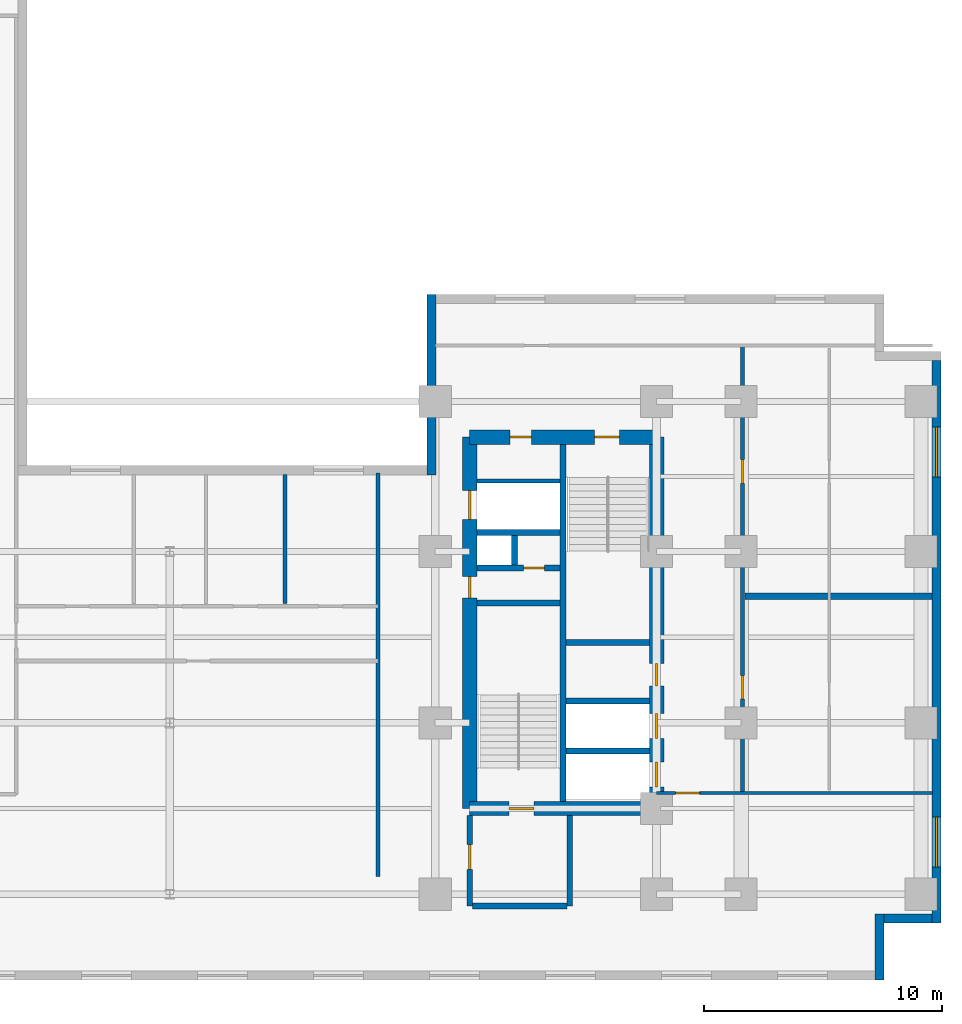
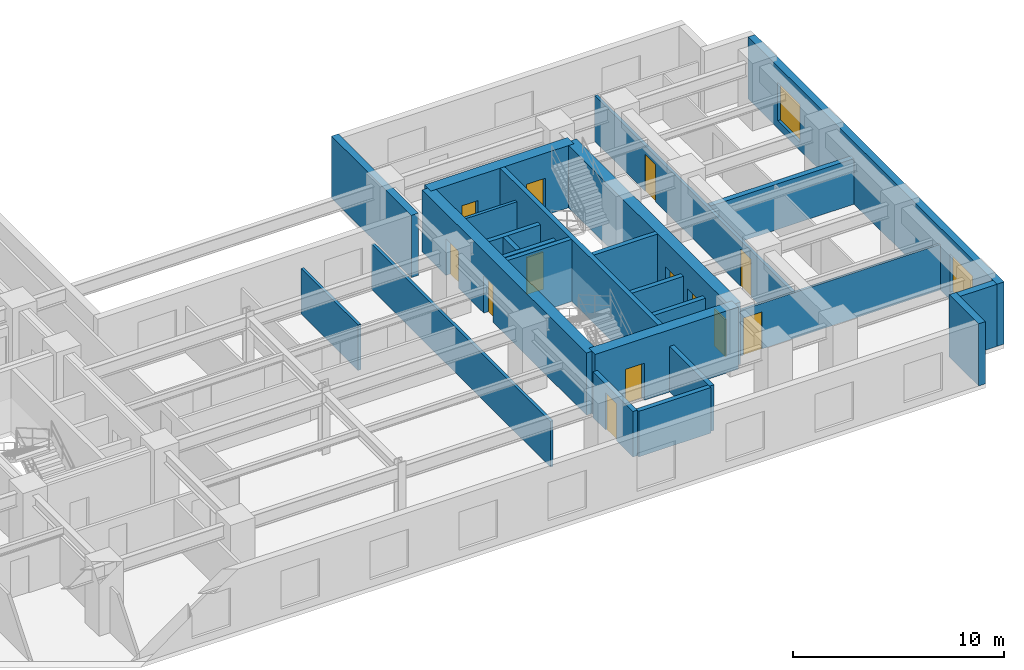
# One storey, part 5 of 10: 25 walls, 13 doors, 2 windows, 15 openings.
"""IFC4 building model written with IfcOpenShell, lengths in metres."""

import ifcopenshell
import ifcopenshell.guid

model = None  # the IFC model being written
_history = None  # IfcOwnerHistory: only IFC2X3 demands one
_inside = {}  # id of a spatial element -> (the spatial element, [elements in it])
_under = {}  # id of a project, library or spatial element -> (it, [spatial elements below it])
_declared = {}  # id of a project -> (the project, [libraries it declares])
_typed = {}  # id of a type object -> (the type object, [elements of that type])
_made_of = {}  # id of a material, layer set ... -> (it, [elements and type objects made of it])


def new_model(schema):
    """Start an empty IFC model of exactly this schema.

    Asked for "IFC4X3", IfcOpenShell would pick the latest addendum, in which some entities
    have other attributes; the version numbers below select the first issue.
    IFC2X3 requires an IfcOwnerHistory on every rooted entity: one is made here for all.
    """
    global model, _history
    if schema == "IFC4X3":
        model = ifcopenshell.file(schema_version=(4, 3, 0, 0))
    else:
        model = ifcopenshell.file(schema=schema)
    _inside.clear()
    _under.clear()
    _declared.clear()
    _typed.clear()
    _made_of.clear()
    _history = None
    if model.schema == "IFC2X3":
        org = make("IfcOrganization", Name="unknown")
        user = make(
            "IfcPersonAndOrganization",
            ThePerson=make("IfcPerson", FamilyName="unknown"),
            TheOrganization=org,
        )
        app = make(
            "IfcApplication",
            ApplicationDeveloper=org,
            Version="unknown",
            ApplicationFullName="unknown",
            ApplicationIdentifier="unknown",
        )
        _history = make(
            "IfcOwnerHistory",
            OwningUser=user,
            OwningApplication=app,
            ChangeAction="ADDED",
            CreationDate=0,
        )
    return model


def make(cls, **values):
    """One entity of the class cls with the attributes given. An attribute that is None is left unset."""
    return model.create_entity(
        cls, **{name: value for name, value in values.items() if value is not None}
    )


def entity(cls, *values):
    """Any entity or typed value of the class cls, its attributes in the order of the schema. None: left unset."""
    e = model.create_entity(cls)
    for i, value in enumerate(values):
        if value is not None:
            e[i] = value
    return e


def rooted(cls, **values):
    """An entity with a GlobalId (a new one), such as an element, a storey or a relation."""
    return make(cls, GlobalId=ifcopenshell.guid.new(), OwnerHistory=_history, **values)


def si_unit(unit_type, name, prefix=None):
    """IfcSIUnit, for example si_unit("LENGTHUNIT", "METRE", prefix="MILLI")."""
    return make("IfcSIUnit", UnitType=unit_type, Prefix=prefix, Name=name)


def converted_unit(unit_type, name, factor, base, dimensions=None, offset=None):
    """IfcConversionBasedUnit, such as the inch: factor (a typed value) times the base unit."""
    return make(
        "IfcConversionBasedUnit"
        if offset is None
        else "IfcConversionBasedUnitWithOffset",
        ConversionOffset=offset,
        Dimensions=None
        if dimensions is None
        else entity("IfcDimensionalExponents", *dimensions),
        UnitType=unit_type,
        Name=name,
        ConversionFactor=make(
            "IfcMeasureWithUnit", ValueComponent=factor, UnitComponent=base
        ),
    )


def assignment(units):
    """IfcUnitAssignment: the units of a project."""
    return None if units is None else make("IfcUnitAssignment", Units=units)


def point(xyz):
    """IfcCartesianPoint."""
    return None if xyz is None else make("IfcCartesianPoint", Coordinates=xyz)


def direction(xyz):
    """IfcDirection."""
    return None if xyz is None else make("IfcDirection", DirectionRatios=xyz)


def frame(location, z_axis=None, x_axis=None):
    """IfcAxis2Placement3D, a coordinate frame: its origin and axes. An axis left out is left unset."""
    return make(
        "IfcAxis2Placement3D",
        Location=point(location),
        Axis=direction(z_axis),
        RefDirection=direction(x_axis),
    )


def frame_2d(location, x_axis=None):
    """IfcAxis2Placement2D, a coordinate frame in the plane: its origin and x axis."""
    return make(
        "IfcAxis2Placement2D", Location=point(location), RefDirection=direction(x_axis)
    )


def origin_with_axes():
    """The frame at (0, 0, 0) with the z axis (0, 0, 1) and the x axis (1, 0, 0) written out."""
    return frame((0.0, 0.0, 0.0), z_axis=(0.0, 0.0, 1.0), x_axis=(1.0, 0.0, 0.0))


def origin_2d_with_axis():
    """The frame at (0, 0) in the plane with the x axis (1, 0) written out."""
    return frame_2d((0.0, 0.0), x_axis=(1.0, 0.0))


def place(relative_to, where):
    """IfcLocalPlacement: puts the frame where relative to a parent placement (None: the world)."""
    return make(
        "IfcLocalPlacement", PlacementRelTo=relative_to, RelativePlacement=where
    )


def context(
    kind, dimensions, precision=None, world=None, true_north=None, identifier=None
):
    """IfcGeometricRepresentationContext, for example the 3D "Model" context."""
    return make(
        "IfcGeometricRepresentationContext",
        ContextIdentifier=identifier,
        ContextType=kind,
        CoordinateSpaceDimension=dimensions,
        Precision=precision,
        WorldCoordinateSystem=world,
        TrueNorth=true_north,
    )


def subcontext(parent, identifier, kind, view, scale=None):
    """IfcGeometricRepresentationSubContext, for example "Body" below "Model"."""
    return make(
        "IfcGeometricRepresentationSubContext",
        ContextIdentifier=identifier,
        ContextType=kind,
        ParentContext=parent,
        TargetScale=scale,
        TargetView=view,
    )


def project(units=None, contexts=None):
    """IfcProject with its units and contexts."""
    return rooted(
        "IfcProject",
        Name="project",
        RepresentationContexts=contexts,
        UnitsInContext=assignment(units),
    )


def spatial(cls, under=None, at=None, **own):
    """A site, building, storey or space (cls), placed at a placement, below another one or the project."""
    s = rooted(cls, ObjectPlacement=at, **own)
    if under is not None:
        _under.setdefault(under.id(), (under, []))[1].append(s)
    return s


def polyline(points):
    """IfcPolyline through the points."""
    return make("IfcPolyline", Points=[point(p) for p in points])


def profile(cls, at=None, kind="AREA", **sizes):
    """A parametric profile (cls). Its sizes go by their IFC names, for example OverallWidth=200.0."""
    return make(cls, ProfileType=kind, Position=at, **sizes)


def rectangle(**sizes):
    """IfcRectangleProfileDef."""
    return profile("IfcRectangleProfileDef", **sizes)


def outline(outer, holes=None, kind="AREA"):
    """IfcArbitraryClosedProfileDef: a profile drawn as a closed curve; with holes, ...WithVoids."""
    if holes is None:
        return make("IfcArbitraryClosedProfileDef", ProfileType=kind, OuterCurve=outer)
    return make(
        "IfcArbitraryProfileDefWithVoids",
        ProfileType=kind,
        OuterCurve=outer,
        InnerCurves=holes,
    )


def extrude(swept, where, along, depth):
    """IfcExtrudedAreaSolid: the profile swept, set in the frame where, extruded along a direction by depth."""
    return make(
        "IfcExtrudedAreaSolid",
        SweptArea=swept,
        Position=where,
        ExtrudedDirection=direction(along),
        Depth=depth,
    )


def shape(context_of_items, identifier, shape_type, items):
    """IfcShapeRepresentation: the items that make up one representation, for example the "Body"."""
    return make(
        "IfcShapeRepresentation",
        ContextOfItems=context_of_items,
        RepresentationIdentifier=identifier,
        RepresentationType=shape_type,
        Items=items,
    )


def material(Name=None, Category=None):
    """IfcMaterial."""
    return make("IfcMaterial", Name=Name, Category=Category)


def layer(
    of_material, thickness, ventilated=None, Name=None, Category=None, Priority=None
):
    """IfcMaterialLayer: one layer of a wall or slab, of a material (None: an air gap)."""
    return make(
        "IfcMaterialLayer",
        Material=of_material,
        LayerThickness=thickness,
        IsVentilated=ventilated,
        Name=Name,
        Category=Category,
        Priority=Priority,
    )


def layer_set(layers, Name=None):
    """IfcMaterialLayerSet."""
    return make("IfcMaterialLayerSet", MaterialLayers=layers, LayerSetName=Name)


def made_of(thing, what):
    """Note that an element or type object is made of a material, layer set ...; save() writes the relation."""
    if what is not None:
        _made_of.setdefault(what.id(), (what, []))[1].append(thing)
    return thing


def type_object(cls, material=None, **own):
    """A type object (cls), such as IfcWallType, which elements share."""
    return made_of(rooted(cls, **own), material)


def element(
    cls,
    number,
    at=None,
    inside=None,
    cuts=None,
    type_object=None,
    material=None,
    context=None,
    identifier="Body",
    shape_type=None,
    held_by="IfcProductDefinitionShape",
    body=None,
    shapes=None,
    **own,
):
    """One element of the class cls, such as IfcWall. Its Tag is "e" and its number.

    at: its placement. inside: the storey or other place that contains it. cuts: it is an
    opening in that element (IfcRelVoidsElement). A single representation is given by context,
    identifier, shape_type and body (its items); several are given by shapes. held_by: the class
    of the entity that holds the representations. save() writes the other relations.
    """
    e = rooted(cls, Tag="e%d" % number, ObjectPlacement=at, **own)
    if body is not None:
        shapes = [shape(context, identifier, shape_type, body)]
    if shapes is not None:
        e.Representation = make(held_by, Representations=shapes)
    if inside is not None:
        _inside.setdefault(inside.id(), (inside, []))[1].append(e)
    if cuts is not None:
        rooted(
            "IfcRelVoidsElement", RelatingBuildingElement=cuts, RelatedOpeningElement=e
        )
    if type_object is not None:
        _typed.setdefault(type_object.id(), (type_object, []))[1].append(e)
    return made_of(e, material)


def fill(opening, filler):
    """IfcRelFillsElement: the door or window that sits in an opening."""
    return rooted(
        "IfcRelFillsElement",
        RelatingOpeningElement=opening,
        RelatedBuildingElement=filler,
    )


def aggregate(whole, parts):
    """IfcRelAggregates: a whole, such as a stair, and the parts it consists of."""
    return rooted("IfcRelAggregates", RelatingObject=whole, RelatedObjects=parts)


def save(model, path):
    """Write the relations noted so far, then the file.

    IfcRelAggregates (storeys below a building ...), IfcRelContainedInSpatialStructure (elements
    in a storey), IfcRelDefinesByType, IfcRelAssociatesMaterial and IfcRelDeclares: one each for
    every whole, place, type object, material and project.
    """
    for whole, parts in _under.values():
        aggregate(whole, parts)
    for where, things in _inside.values():
        rooted(
            "IfcRelContainedInSpatialStructure",
            RelatedElements=things,
            RelatingStructure=where,
        )
    for kind, things in _typed.values():
        rooted("IfcRelDefinesByType", RelatedObjects=things, RelatingType=kind)
    for what, things in _made_of.values():
        rooted("IfcRelAssociatesMaterial", RelatedObjects=things, RelatingMaterial=what)
    for by, libraries in _declared.values():
        rooted("IfcRelDeclares", RelatingContext=by, RelatedDefinitions=libraries)
    model.write(path)


model = new_model("IFC4")

# Units and contexts
model_context = context("Model", 3, precision=1e-05, world=origin_with_axes(), true_north=direction((0.0, 1.0)))
body_context = subcontext(model_context, "Body", "Model", "MODEL_VIEW")
ifc_project = project(units=[si_unit("LENGTHUNIT", "METRE"), si_unit("AREAUNIT", "SQUARE_METRE"), si_unit("VOLUMEUNIT", "CUBIC_METRE"), converted_unit("PLANEANGLEUNIT", "DEGREE", entity("IfcPlaneAngleMeasure", 0.017453292519943295), si_unit("PLANEANGLEUNIT", "RADIAN"), dimensions=[0, 0, 0, 0, 0, 0, 0]), si_unit("MASSUNIT", "GRAM", prefix="KILO"), si_unit("THERMODYNAMICTEMPERATUREUNIT", "KELVIN")], contexts=[model_context])

# Site, building, storey
site_placement = place(None, origin_with_axes())
site = spatial("IfcSite", under=ifc_project, at=site_placement, CompositionType="ELEMENT")
building_placement = place(site_placement, origin_with_axes())
building = spatial("IfcBuilding", under=site, at=building_placement, Name="Varnlund Millrace Tower", CompositionType="ELEMENT")
storey_placement = place(building_placement, frame((0.0, 0.0, 75.6), z_axis=(0.0, 0.0, 1.0), x_axis=(1.0, 0.0, 0.0)))
storey = spatial("IfcBuildingStorey", under=building, at=storey_placement, Name="L18", CompositionType="ELEMENT", Elevation=75.6)

# Wall, openings, doors
ifc_material_1 = material(Name="Concrete C80/95", Category="concrete")
ifc_layer_1 = layer(ifc_material_1, 0.6, Name="Concrete C80/95")
ifc_layer_set_1 = layer_set([ifc_layer_1], Name="Concrete C80/95")
wall_type_1 = type_object("IfcWallType", Name="Type-CoreWall-Shear-600-C80", PredefinedType="SHEAR", material=ifc_layer_set_1)
wall_1_placement = place(storey_placement, frame((40.2, 7.2, 0.0), z_axis=(0.0, 0.0, 1.0), x_axis=(0.0, 1.0, 0.0)))
wall_1 = element("IfcWall", 1, at=wall_1_placement, inside=storey, type_object=wall_type_1, Name="Type-CoreWall-Shear-600-C80", PredefinedType="SHEAR", context=body_context, shape_type="SweptSolid", body=[
    extrude(outline(polyline([(0.0, -0.3), (15.6, -0.3), (15.6, 0.3), (0.0, 0.3), (0.0, -0.3)])), origin_with_axes(), (0.0, 0.0, 1.0), 3.6),
])
opening_1_placement = place(wall_1_placement, frame((12.75, 0.0, 0.0), z_axis=(0.0, 0.0, 1.0), x_axis=(1.0, 0.0, 0.0)))
opening_1 = element("IfcOpeningElement", 2, at=opening_1_placement, cuts=wall_1, Name="Opening L18:LD-SRV2", PredefinedType="OPENING", context=body_context, shape_type="SweptSolid", body=[
    extrude(rectangle(XDim=1.2, YDim=0.62, at=origin_2d_with_axis()), origin_with_axes(), (0.0, 0.0, 1.0), 2.15),
])
opening_2_placement = place(wall_1_placement, frame((9.3, 0.0, 0.0), z_axis=(0.0, 0.0, 1.0), x_axis=(1.0, 0.0, 0.0)))
opening_2 = element("IfcOpeningElement", 3, at=opening_2_placement, cuts=wall_1, Name="Opening L18:DR-CB-JAN", PredefinedType="OPENING", context=body_context, shape_type="SweptSolid", body=[
    extrude(rectangle(XDim=0.9, YDim=0.62, at=origin_2d_with_axis()), origin_with_axes(), (0.0, 0.0, 1.0), 2.15),
])
ifc_material_2 = material(Name="Fire-rated hollow steel service closet door", Category="steel")
door_type_1 = type_object("IfcDoorType", Name="Type-FireDoor-Closet-900X2150", OperationType="NOTDEFINED", PredefinedType="DOOR", material=ifc_material_2)
door_1_placement = place(wall_1_placement, frame((9.3, 0.0, 0.0), z_axis=(0.0, 0.0, 1.0), x_axis=(1.0, 0.0, 0.0)))
door_1 = element("IfcDoor", 4, at=door_1_placement, inside=storey, type_object=door_type_1, Name="Type-FireDoor-Closet-900X2150", OperationType="SINGLE_SWING_RIGHT", OverallHeight=2.15, OverallWidth=0.9, PredefinedType="DOOR", context=body_context, shape_type="SweptSolid", body=[
    extrude(rectangle(XDim=0.9, YDim=0.09, at=origin_2d_with_axis()), origin_with_axes(), (0.0, 0.0, 1.0), 2.15),
])
fill(opening_2, door_1)
ifc_material_3 = material(Name="Heavy-duty freight sliding landing door")
door_type_2 = type_object("IfcDoorType", Name="Type-LiftLandingDoor-Service-1200X2150", OperationType="NOTDEFINED", PredefinedType="DOOR", material=ifc_material_3)
door_2_placement = place(wall_1_placement, frame((12.75, 0.0, 0.0), z_axis=(0.0, 0.0, 1.0), x_axis=(1.0, 0.0, 0.0)))
door_2 = element("IfcDoor", 5, at=door_2_placement, inside=storey, type_object=door_type_2, Name="Type-LiftLandingDoor-Service-1200X2150", OperationType="DOUBLE_DOOR_SLIDING", OverallHeight=2.15, OverallWidth=1.2, PredefinedType="DOOR", context=body_context, shape_type="SweptSolid", body=[
    extrude(rectangle(XDim=1.2, YDim=0.09, at=origin_2d_with_axis()), origin_with_axes(), (0.0, 0.0, 1.0), 2.15),
])
fill(opening_1, door_2)

# Wall, opening, door
wall_2_placement = place(storey_placement, frame((40.2, 7.2, 0.0), z_axis=(0.0, 0.0, 1.0), x_axis=(1.0, 0.0, 0.0)))
wall_2 = element("IfcWall", 6, at=wall_2_placement, inside=storey, type_object=wall_type_1, Name="Type-CoreWall-Shear-600-C80", PredefinedType="SHEAR", context=body_context, shape_type="SweptSolid", body=[
    extrude(outline(polyline([(0.0, -0.3), (7.85, -0.3), (7.85, 0.3), (0.0, 0.3), (0.0, -0.3)])), origin_with_axes(), (0.0, 0.0, 1.0), 3.6),
])
opening_3_placement = place(wall_2_placement, frame((2.175, 0.0, 0.0), z_axis=(0.0, 0.0, 1.0), x_axis=(1.0, 0.0, 0.0)))
opening_3 = element("IfcOpeningElement", 7, at=opening_3_placement, cuts=wall_2, Name="Opening L18:DR-STB1", PredefinedType="OPENING", context=body_context, shape_type="SweptSolid", body=[
    extrude(rectangle(XDim=1.05, YDim=0.62, at=origin_2d_with_axis()), origin_with_axes(), (0.0, 0.0, 1.0), 2.15),
])
ifc_material_4 = material(Name="Fire-rated hollow steel door", Category="steel")
door_type_3 = type_object("IfcDoorType", Name="Type-FireDoor-Stair-1050X2150", OperationType="NOTDEFINED", PredefinedType="DOOR", material=ifc_material_4)
door_3_placement = place(wall_2_placement, frame((2.175, 0.0, 0.0), z_axis=(0.0, 0.0, 1.0), x_axis=(1.0, 0.0, 0.0)))
door_3 = element("IfcDoor", 8, at=door_3_placement, inside=storey, type_object=door_type_3, Name="Type-FireDoor-Stair-1050X2150", OperationType="SINGLE_SWING_LEFT", OverallHeight=2.15, OverallWidth=1.05, PredefinedType="DOOR", context=body_context, shape_type="SweptSolid", body=[
    extrude(rectangle(XDim=1.05, YDim=0.09, at=origin_2d_with_axis()), origin_with_axes(), (0.0, 0.0, 1.0), 2.15),
])
fill(opening_3, door_3)

# Wall, openings, doors
wall_3_placement = place(storey_placement, frame((40.2, 22.8, 0.0), z_axis=(0.0, 0.0, 1.0), x_axis=(1.0, 0.0, 0.0)))
wall_3 = element("IfcWall", 9, at=wall_3_placement, inside=storey, type_object=wall_type_1, Name="Type-CoreWall-Shear-600-C80", PredefinedType="SHEAR", context=body_context, shape_type="SweptSolid", body=[
    extrude(outline(polyline([(0.0, -0.3), (7.85, -0.3), (7.85, 0.3), (0.0, 0.3), (0.0, -0.3)])), origin_with_axes(), (0.0, 0.0, 1.0), 3.6),
])
opening_4_placement = place(wall_3_placement, frame((5.775, 0.0, 0.0), z_axis=(0.0, 0.0, 1.0), x_axis=(1.0, 0.0, 0.0)))
opening_4 = element("IfcOpeningElement", 10, at=opening_4_placement, cuts=wall_3, Name="Opening L18:DR-STB2", PredefinedType="OPENING", context=body_context, shape_type="SweptSolid", body=[
    extrude(rectangle(XDim=1.05, YDim=0.62, at=origin_2d_with_axis()), origin_with_axes(), (0.0, 0.0, 1.0), 2.15),
])
opening_5_placement = place(wall_3_placement, frame((2.15, 0.0, 0.0), z_axis=(0.0, 0.0, 1.0), x_axis=(1.0, 0.0, 0.0)))
opening_5 = element("IfcOpeningElement", 11, at=opening_5_placement, cuts=wall_3, Name="Opening L18:DR-CB-NW", PredefinedType="OPENING", context=body_context, shape_type="SweptSolid", body=[
    extrude(rectangle(XDim=0.9, YDim=0.62, at=origin_2d_with_axis()), origin_with_axes(), (0.0, 0.0, 1.0), 2.15),
])
door_4_placement = place(wall_3_placement, frame((2.15, 0.0, 0.0), z_axis=(0.0, 0.0, 1.0), x_axis=(1.0, 0.0, 0.0)))
door_4 = element("IfcDoor", 12, at=door_4_placement, inside=storey, type_object=door_type_1, Name="Type-FireDoor-Closet-900X2150", OperationType="SINGLE_SWING_LEFT", OverallHeight=2.15, OverallWidth=0.9, PredefinedType="DOOR", context=body_context, shape_type="SweptSolid", body=[
    extrude(rectangle(XDim=0.9, YDim=0.09, at=origin_2d_with_axis()), origin_with_axes(), (0.0, 0.0, 1.0), 2.15),
])
fill(opening_5, door_4)
door_5_placement = place(wall_3_placement, frame((5.775, 0.0, 0.0), z_axis=(0.0, 0.0, 1.0), x_axis=(1.0, 0.0, 0.0)))
door_5 = element("IfcDoor", 13, at=door_5_placement, inside=storey, type_object=door_type_3, Name="Type-FireDoor-Stair-1050X2150", OperationType="SINGLE_SWING_RIGHT", OverallHeight=2.15, OverallWidth=1.05, PredefinedType="DOOR", context=body_context, shape_type="SweptSolid", body=[
    extrude(rectangle(XDim=1.05, YDim=0.09, at=origin_2d_with_axis()), origin_with_axes(), (0.0, 0.0, 1.0), 2.15),
])
fill(opening_4, door_5)

wall_4_placement = place(storey_placement, frame((48.05, 7.2, 0.0), z_axis=(0.0, 0.0, 1.0), x_axis=(0.0, 1.0, 0.0)))
wall_4 = element("IfcWall", 14, at=wall_4_placement, inside=storey, type_object=wall_type_1, Name="Type-CoreWall-Shear-600-C80", PredefinedType="SHEAR", context=body_context, shape_type="SweptSolid", body=[
    extrude(outline(polyline([(0.0, -0.3), (15.6, -0.3), (15.6, 0.3), (0.0, 0.3), (0.0, -0.3)])), origin_with_axes(), (0.0, 0.0, 1.0), 3.6),
])
opening_6_placement = place(wall_4_placement, frame((1.425, 0.0, 0.0), z_axis=(0.0, 0.0, 1.0), x_axis=(1.0, 0.0, 0.0)))
opening_6 = element("IfcOpeningElement", 15, at=opening_6_placement, cuts=wall_4, Name="Opening L18:LD-ELV-L3", PredefinedType="OPENING", context=body_context, shape_type="SweptSolid", body=[
    extrude(rectangle(XDim=1.05, YDim=0.62, at=origin_2d_with_axis()), origin_with_axes(), (0.0, 0.0, 1.0), 2.15),
])
opening_7_placement = place(wall_4_placement, frame((3.475, 0.0, 0.0), z_axis=(0.0, 0.0, 1.0), x_axis=(1.0, 0.0, 0.0)))
opening_7 = element("IfcOpeningElement", 16, at=opening_7_placement, cuts=wall_4, Name="Opening L18:LD-ELV-L4", PredefinedType="OPENING", context=body_context, shape_type="SweptSolid", body=[
    extrude(rectangle(XDim=1.05, YDim=0.62, at=origin_2d_with_axis()), origin_with_axes(), (0.0, 0.0, 1.0), 2.15),
])
opening_8_placement = place(wall_4_placement, frame((5.625, 0.0, 0.0), z_axis=(0.0, 0.0, 1.0), x_axis=(1.0, 0.0, 0.0)))
opening_8 = element("IfcOpeningElement", 17, at=opening_8_placement, cuts=wall_4, Name="Opening L18:DR-CB-WC", PredefinedType="OPENING", context=body_context, shape_type="SweptSolid", body=[
    extrude(rectangle(XDim=0.95, YDim=0.62, at=origin_2d_with_axis()), origin_with_axes(), (0.0, 0.0, 1.0), 2.15),
])
ifc_material_5 = material(Name="Fire-rated hollow steel core service door", Category="steel")
door_type_4 = type_object("IfcDoorType", Name="Type-FireDoor-Service-950X2150", OperationType="NOTDEFINED", PredefinedType="DOOR", material=ifc_material_5)
door_6_placement = place(wall_4_placement, frame((5.625, 0.0, 0.0), z_axis=(0.0, 0.0, 1.0), x_axis=(1.0, 0.0, 0.0)))
door_6 = element("IfcDoor", 18, at=door_6_placement, inside=storey, type_object=door_type_4, Name="Type-FireDoor-Service-950X2150", OperationType="SINGLE_SWING_LEFT", OverallHeight=2.15, OverallWidth=0.95, PredefinedType="DOOR", context=body_context, shape_type="SweptSolid", body=[
    extrude(rectangle(XDim=0.95, YDim=0.09, at=origin_2d_with_axis()), origin_with_axes(), (0.0, 0.0, 1.0), 2.15),
])
fill(opening_8, door_6)
ifc_material_6 = material(Name="Architectural bronze sliding landing door")
door_type_5 = type_object("IfcDoorType", Name="Type-LiftLandingDoor-Compact-1050X2150", OperationType="NOTDEFINED", PredefinedType="DOOR", material=ifc_material_6)
door_7_placement = place(wall_4_placement, frame((1.425, 0.0, 0.0), z_axis=(0.0, 0.0, 1.0), x_axis=(1.0, 0.0, 0.0)))
door_7 = element("IfcDoor", 19, at=door_7_placement, inside=storey, type_object=door_type_5, Name="Type-LiftLandingDoor-Compact-1050X2150", OperationType="SLIDING_TO_LEFT", OverallHeight=2.15, OverallWidth=1.05, PredefinedType="DOOR", context=body_context, shape_type="SweptSolid", body=[
    extrude(rectangle(XDim=1.05, YDim=0.09, at=origin_2d_with_axis()), origin_with_axes(), (0.0, 0.0, 1.0), 2.15),
])
fill(opening_6, door_7)
door_8_placement = place(wall_4_placement, frame((3.475, 0.0, 0.0), z_axis=(0.0, 0.0, 1.0), x_axis=(1.0, 0.0, 0.0)))
door_8 = element("IfcDoor", 20, at=door_8_placement, inside=storey, type_object=door_type_5, Name="Type-LiftLandingDoor-Compact-1050X2150", OperationType="SLIDING_TO_RIGHT", OverallHeight=2.15, OverallWidth=1.05, PredefinedType="DOOR", context=body_context, shape_type="SweptSolid", body=[
    extrude(rectangle(XDim=1.05, YDim=0.09, at=origin_2d_with_axis()), origin_with_axes(), (0.0, 0.0, 1.0), 2.15),
])
fill(opening_7, door_8)

# Wall
ifc_material_7 = material(Name="Precast concrete C50/60", Category="concrete")
ifc_layer_2 = layer(ifc_material_7, 0.38, Name="Precast concrete C50/60")
ifc_layer_set_2 = layer_set([ifc_layer_2], Name="Precast concrete C50/60")
wall_type_2 = type_object("IfcWallType", Name="Type-ExtWall-Precast-Tube-380", PredefinedType="SOLIDWALL", material=ifc_layer_set_2)
wall_5_placement = place(storey_placement, frame((38.59, 21.22, 0.0), z_axis=(0.0, 0.0, 1.0), x_axis=(0.0, 1.0, 0.0)))
element("IfcWall", 21, at=wall_5_placement, inside=storey, type_object=wall_type_2, Name="Type-ExtWall-Precast-Tube-380", PredefinedType="SOLIDWALL", context=body_context, shape_type="SweptSolid", body=[
    extrude(outline(polyline([(0.0, -0.19), (7.58, -0.19), (7.58, 0.19), (0.0, 0.19), (0.0, -0.19)])), origin_with_axes(), (0.0, 0.0, 1.0), 3.6),
])

# Wall, openings, windows
wall_6_placement = place(storey_placement, frame((59.81, 26.02, 0.0), z_axis=(0.0, 0.0, 1.0), x_axis=(0.0, -1.0, 0.0)))
wall_6 = element("IfcWall", 22, at=wall_6_placement, inside=storey, type_object=wall_type_2, Name="Type-ExtWall-Precast-Tube-380", PredefinedType="SOLIDWALL", context=body_context, shape_type="SweptSolid", body=[
    extrude(outline(polyline([(0.0, -0.19), (23.62, -0.19), (23.62, 0.19), (0.0, 0.19), (0.0, -0.19)])), origin_with_axes(), (0.0, 0.0, 1.0), 3.6),
])
opening_9_placement = place(wall_6_placement, frame((3.853, 0.0, 0.45), z_axis=(0.0, 0.0, 1.0), x_axis=(1.0, 0.0, 0.0)))
opening_9 = element("IfcOpeningElement", 23, at=opening_9_placement, cuts=wall_6, Name="Opening L18:WN-04", PredefinedType="OPENING", context=body_context, shape_type="SweptSolid", body=[
    extrude(rectangle(XDim=2.1, YDim=0.4, at=origin_2d_with_axis()), origin_with_axes(), (0.0, 0.0, 1.0), 2.2),
])
opening_10_placement = place(wall_6_placement, frame((20.218, 0.0, 0.45), z_axis=(0.0, 0.0, 1.0), x_axis=(1.0, 0.0, 0.0)))
opening_10 = element("IfcOpeningElement", 24, at=opening_10_placement, cuts=wall_6, Name="Opening L18:WN-05", PredefinedType="OPENING", context=body_context, shape_type="SweptSolid", body=[
    extrude(rectangle(XDim=2.1, YDim=0.4, at=origin_2d_with_axis()), origin_with_axes(), (0.0, 0.0, 1.0), 2.2),
])
ifc_material_8 = material(Name="Argon low-e triple glazing in thermally broken bronze frame", Category="glass")
window_type = type_object("IfcWindowType", Name="Type-Window-Punched-2100X2200", PartitioningType="SINGLE_PANEL", PredefinedType="WINDOW", material=ifc_material_8)
window_1_placement = place(wall_6_placement, frame((3.853, 0.0, 0.45), z_axis=(0.0, 0.0, 1.0), x_axis=(1.0, 0.0, 0.0)))
window_1 = element("IfcWindow", 25, at=window_1_placement, inside=storey, type_object=window_type, Name="Type-Window-Punched-2100X2200", OverallHeight=2.2, OverallWidth=2.1, PredefinedType="WINDOW", context=body_context, shape_type="SweptSolid", body=[
    extrude(rectangle(XDim=2.1, YDim=0.09, at=origin_2d_with_axis()), origin_with_axes(), (0.0, 0.0, 1.0), 2.2),
])
fill(opening_9, window_1)
window_2_placement = place(wall_6_placement, frame((20.218, 0.0, 0.45), z_axis=(0.0, 0.0, 1.0), x_axis=(1.0, 0.0, 0.0)))
window_2 = element("IfcWindow", 26, at=window_2_placement, inside=storey, type_object=window_type, Name="Type-Window-Punched-2100X2200", OverallHeight=2.2, OverallWidth=2.1, PredefinedType="WINDOW", context=body_context, shape_type="SweptSolid", body=[
    extrude(rectangle(XDim=2.1, YDim=0.09, at=origin_2d_with_axis()), origin_with_axes(), (0.0, 0.0, 1.0), 2.2),
])
fill(opening_10, window_2)

# Walls
wall_7_placement = place(storey_placement, frame((59.62, 2.59, 0.0), z_axis=(0.0, 0.0, 1.0), x_axis=(-1.0, 0.0, 0.0)))
element("IfcWall", 27, at=wall_7_placement, inside=storey, type_object=wall_type_2, Name="Type-ExtWall-Precast-Tube-380", PredefinedType="SOLIDWALL", context=body_context, shape_type="SweptSolid", body=[
    extrude(outline(polyline([(0.0, -0.19), (2.02, -0.19), (2.02, 0.19), (0.0, 0.19), (0.0, -0.19)])), origin_with_axes(), (0.0, 0.0, 1.0), 3.6),
])
wall_8_placement = place(storey_placement, frame((57.41, 2.78, 0.0), z_axis=(0.0, 0.0, 1.0), x_axis=(0.0, -1.0, 0.0)))
element("IfcWall", 28, at=wall_8_placement, inside=storey, type_object=wall_type_2, Name="Type-ExtWall-Precast-Tube-380", PredefinedType="SOLIDWALL", context=body_context, shape_type="SweptSolid", body=[
    extrude(outline(polyline([(0.0, -0.19), (2.78, -0.19), (2.78, 0.19), (0.0, 0.19), (0.0, -0.19)])), origin_with_axes(), (0.0, 0.0, 1.0), 3.6),
])
ifc_material_9 = material(Name="Double-stud STC-60 conference acoustic partition", Category="gypsum")
ifc_layer_3 = layer(ifc_material_9, 0.28, Name="Double-stud STC-60 conference acoustic partition")
ifc_layer_set_3 = layer_set([ifc_layer_3], Name="Double-stud STC-60 conference acoustic partition")
wall_type_3 = type_object("IfcWallType", Name="Type-Partition-Acoustic-280", PredefinedType="PARTITIONING", material=ifc_layer_set_3)
wall_9_placement = place(storey_placement, frame((51.77, 16.116, 0.0), z_axis=(0.0, 0.0, 1.0), x_axis=(1.0, 0.0, 0.0)))
element("IfcWall", 29, at=wall_9_placement, inside=storey, type_object=wall_type_3, Name="Type-Partition-Acoustic-280", PredefinedType="PARTITIONING", context=body_context, shape_type="SweptSolid", body=[
    extrude(outline(polyline([(0.0, -0.14), (7.855, -0.14), (7.855, 0.14), (0.0, 0.14), (0.0, -0.14)])), origin_with_axes(), (0.0, 0.0, 1.0), 2.64),
])
ifc_material_10 = material(Name="Fire-rated gypsum board on cold-formed steel framing", Category="steel")
ifc_layer_4 = layer(ifc_material_10, 0.16, Name="Fire-rated gypsum board on cold-formed steel framing")
ifc_layer_set_4 = layer_set([ifc_layer_4], Name="Fire-rated gypsum board on cold-formed steel framing")
wall_type_4 = type_object("IfcWallType", Name="Type-Partition-Corridor-160", PredefinedType="PARTITIONING", material=ifc_layer_set_4)
wall_10_placement = place(storey_placement, frame((40.5, 20.96, 0.0), z_axis=(0.0, 0.0, 1.0), x_axis=(1.0, 0.0, 0.0)))
element("IfcWall", 30, at=wall_10_placement, inside=storey, type_object=wall_type_4, Name="Type-Partition-Corridor-160", PredefinedType="PARTITIONING", context=body_context, shape_type="SweptSolid", body=[
    extrude(outline(polyline([(0.0, -0.08), (3.5, -0.08), (3.5, 0.08), (0.0, 0.08), (0.0, -0.08)])), origin_with_axes(), (0.0, 0.0, 1.0), 2.64),
])
wall_11_placement = place(storey_placement, frame((36.35, 4.35, 0.0), z_axis=(0.0, 0.0, 1.0), x_axis=(0.0, 1.0, 0.0)))
element("IfcWall", 31, at=wall_11_placement, inside=storey, type_object=wall_type_4, Name="Type-Partition-Corridor-160", PredefinedType="PARTITIONING", context=body_context, shape_type="SweptSolid", body=[
    extrude(outline(polyline([(0.0, -0.08), (16.95, -0.08), (16.95, 0.08), (0.0, 0.08), (0.0, -0.08)])), origin_with_axes(), (0.0, 0.0, 1.0), 2.64),
])

# Wall, openings, doors
wall_12_placement = place(storey_placement, frame((51.65, 7.85, 0.0), z_axis=(0.0, 0.0, 1.0), x_axis=(0.0, 1.0, 0.0)))
wall_12 = element("IfcWall", 32, at=wall_12_placement, inside=storey, type_object=wall_type_4, Name="Type-Partition-Corridor-160", PredefinedType="PARTITIONING", context=body_context, shape_type="SweptSolid", body=[
    extrude(outline(polyline([(0.0, -0.08), (18.8, -0.08), (18.8, 0.08), (0.0, 0.08), (0.0, -0.08)])), origin_with_axes(), (0.0, 0.0, 1.0), 2.64),
])
opening_11_placement = place(wall_12_placement, frame((4.443, 0.0, 0.0), z_axis=(0.0, 0.0, 1.0), x_axis=(1.0, 0.0, 0.0)))
opening_11 = element("IfcOpeningElement", 33, at=opening_11_placement, cuts=wall_12, Name="Opening L18:DR-WB-01", PredefinedType="OPENING", context=body_context, shape_type="SweptSolid", body=[
    extrude(rectangle(XDim=1.0, YDim=0.18, at=origin_2d_with_axis()), origin_with_axes(), (0.0, 0.0, 1.0), 2.15),
])
opening_12_placement = place(wall_12_placement, frame((13.503, 0.0, 0.0), z_axis=(0.0, 0.0, 1.0), x_axis=(1.0, 0.0, 0.0)))
opening_12 = element("IfcOpeningElement", 34, at=opening_12_placement, cuts=wall_12, Name="Opening L18:DR-WB-02", PredefinedType="OPENING", context=body_context, shape_type="SweptSolid", body=[
    extrude(rectangle(XDim=1.0, YDim=0.18, at=origin_2d_with_axis()), origin_with_axes(), (0.0, 0.0, 1.0), 2.15),
])
ifc_material_11 = material(Name="Solid-core white oak and bronze frame door")
door_type_6 = type_object("IfcDoorType", Name="Type-IntDoor-Office-1000X2150", OperationType="NOTDEFINED", PredefinedType="DOOR", material=ifc_material_11)
door_9_placement = place(wall_12_placement, frame((4.443, 0.0, 0.0), z_axis=(0.0, 0.0, 1.0), x_axis=(1.0, 0.0, 0.0)))
door_9 = element("IfcDoor", 35, at=door_9_placement, inside=storey, type_object=door_type_6, Name="Type-IntDoor-Office-1000X2150", OperationType="SINGLE_SWING_LEFT", OverallHeight=2.15, OverallWidth=1.0, PredefinedType="DOOR", context=body_context, shape_type="SweptSolid", body=[
    extrude(rectangle(XDim=1.0, YDim=0.09, at=origin_2d_with_axis()), origin_with_axes(), (0.0, 0.0, 1.0), 2.15),
])
fill(opening_11, door_9)
door_10_placement = place(wall_12_placement, frame((13.503, 0.0, 0.0), z_axis=(0.0, 0.0, 1.0), x_axis=(1.0, 0.0, 0.0)))
door_10 = element("IfcDoor", 36, at=door_10_placement, inside=storey, type_object=door_type_6, Name="Type-IntDoor-Office-1000X2150", OperationType="SINGLE_SWING_RIGHT", OverallHeight=2.15, OverallWidth=1.0, PredefinedType="DOOR", context=body_context, shape_type="SweptSolid", body=[
    extrude(rectangle(XDim=1.0, YDim=0.09, at=origin_2d_with_axis()), origin_with_axes(), (0.0, 0.0, 1.0), 2.15),
])
fill(opening_12, door_10)

# Wall
ifc_material_12 = material(Name="Acoustic STC-50 gypsum board partition", Category="gypsum")
ifc_layer_5 = layer(ifc_material_12, 0.15, Name="Acoustic STC-50 gypsum board partition")
ifc_layer_set_5 = layer_set([ifc_layer_5], Name="Acoustic STC-50 gypsum board partition")
wall_type_5 = type_object("IfcWallType", Name="Type-Partition-Demising-150", PredefinedType="PARTITIONING", material=ifc_layer_set_5)
wall_13_placement = place(storey_placement, frame((32.44, 15.82, 0.0), z_axis=(0.0, 0.0, 1.0), x_axis=(0.0, 1.0, 0.0)))
element("IfcWall", 37, at=wall_13_placement, inside=storey, type_object=wall_type_5, Name="Type-Partition-Demising-150", PredefinedType="PARTITIONING", context=body_context, shape_type="SweptSolid", body=[
    extrude(outline(polyline([(0.0, -0.075), (5.405, -0.075), (5.405, 0.075), (0.0, 0.075), (0.0, -0.075)])), origin_with_axes(), (0.0, 0.0, 1.0), 2.64),
])

# Wall, opening, door
ifc_material_13 = material(Name="Gypsum board tenant partition", Category="gypsum")
ifc_layer_6 = layer(ifc_material_13, 0.125, Name="Gypsum board tenant partition")
ifc_layer_set_6 = layer_set([ifc_layer_6], Name="Gypsum board tenant partition")
wall_type_6 = type_object("IfcWallType", Name="Type-Partition-Tenant-125", PredefinedType="PARTITIONING", material=ifc_layer_set_6)
wall_14_placement = place(storey_placement, frame((59.64, 7.85, 0.0), z_axis=(0.0, 0.0, 1.0), x_axis=(-1.0, 0.0, 0.0)))
wall_14 = element("IfcWall", 38, at=wall_14_placement, inside=storey, type_object=wall_type_6, Name="Type-Partition-Tenant-125", PredefinedType="PARTITIONING", context=body_context, shape_type="SweptSolid", body=[
    extrude(outline(polyline([(0.0, -0.0625), (11.59, -0.0625), (11.59, 0.0625), (0.0, 0.0625), (0.0, -0.0625)])), origin_with_axes(), (0.0, 0.0, 1.0), 2.64),
])
opening_13_placement = place(wall_14_placement, frame((10.29, 0.0, 0.0), z_axis=(0.0, 0.0, 1.0), x_axis=(1.0, 0.0, 0.0)))
opening_13 = element("IfcOpeningElement", 39, at=opening_13_placement, cuts=wall_14, Name="Opening L18:DR-WBS-01", PredefinedType="OPENING", context=body_context, shape_type="SweptSolid", body=[
    extrude(rectangle(XDim=1.0, YDim=0.145, at=origin_2d_with_axis()), origin_with_axes(), (0.0, 0.0, 1.0), 2.15),
])
door_11_placement = place(wall_14_placement, frame((10.29, 0.0, 0.0), z_axis=(0.0, 0.0, 1.0), x_axis=(1.0, 0.0, 0.0)))
door_11 = element("IfcDoor", 40, at=door_11_placement, inside=storey, type_object=door_type_6, Name="Type-IntDoor-Office-1000X2150", OperationType="SINGLE_SWING_LEFT", OverallHeight=2.15, OverallWidth=1.0, PredefinedType="DOOR", context=body_context, shape_type="SweptSolid", body=[
    extrude(rectangle(XDim=1.0, YDim=0.075, at=origin_2d_with_axis()), origin_with_axes(), (0.0, 0.0, 1.0), 2.15),
])
fill(opening_13, door_11)

ifc_material_14 = material(Name="Concrete C60/75", Category="concrete")
ifc_layer_7 = layer(ifc_material_14, 0.25, Name="Concrete C60/75")
ifc_layer_set_7 = layer_set([ifc_layer_7], Name="Concrete C60/75")
wall_type_7 = type_object("IfcWallType", Name="Type-ShaftWall-Fire-250", PredefinedType="SOLIDWALL", material=ifc_layer_set_7)
wall_15_placement = place(storey_placement, frame((40.5, 17.3, 0.0), z_axis=(0.0, 0.0, 1.0), x_axis=(1.0, 0.0, 0.0)))
wall_15 = element("IfcWall", 41, at=wall_15_placement, inside=storey, type_object=wall_type_7, Name="Type-ShaftWall-Fire-250", PredefinedType="SOLIDWALL", context=body_context, shape_type="SweptSolid", body=[
    extrude(outline(polyline([(0.0, -0.125), (3.5, -0.125), (3.5, 0.125), (0.0, 0.125), (0.0, -0.125)])), origin_with_axes(), (0.0, 0.0, 1.0), 2.64),
])
opening_14_placement = place(wall_15_placement, frame((2.4, 0.0, 0.0), z_axis=(0.0, 0.0, 1.0), x_axis=(1.0, 0.0, 0.0)))
opening_14 = element("IfcOpeningElement", 42, at=opening_14_placement, cuts=wall_15, Name="Opening L18:DR-CB-ELC", PredefinedType="OPENING", context=body_context, shape_type="SweptSolid", body=[
    extrude(rectangle(XDim=0.9, YDim=0.27, at=origin_2d_with_axis()), origin_with_axes(), (0.0, 0.0, 1.0), 2.15),
])
door_12_placement = place(wall_15_placement, frame((2.4, 0.0, 0.0), z_axis=(0.0, 0.0, 1.0), x_axis=(1.0, 0.0, 0.0)))
door_12 = element("IfcDoor", 43, at=door_12_placement, inside=storey, type_object=door_type_1, Name="Type-FireDoor-Closet-900X2150", OperationType="SINGLE_SWING_LEFT", OverallHeight=2.15, OverallWidth=0.9, PredefinedType="DOOR", context=body_context, shape_type="SweptSolid", body=[
    extrude(rectangle(XDim=0.9, YDim=0.09, at=origin_2d_with_axis()), origin_with_axes(), (0.0, 0.0, 1.0), 2.15),
])
fill(opening_14, door_12)

# Walls
wall_16_placement = place(storey_placement, frame((40.5, 18.8, 0.0), z_axis=(0.0, 0.0, 1.0), x_axis=(1.0, 0.0, 0.0)))
element("IfcWall", 44, at=wall_16_placement, inside=storey, type_object=wall_type_7, Name="Type-ShaftWall-Fire-250", PredefinedType="SOLIDWALL", context=body_context, shape_type="SweptSolid", body=[
    extrude(outline(polyline([(0.0, -0.125), (3.5, -0.125), (3.5, 0.125), (0.0, 0.125), (0.0, -0.125)])), origin_with_axes(), (0.0, 0.0, 1.0), 2.64),
])
wall_17_placement = place(storey_placement, frame((42.075, 17.43, 0.0), z_axis=(0.0, 0.0, 1.0), x_axis=(0.0, 1.0, 0.0)))
element("IfcWall", 45, at=wall_17_placement, inside=storey, type_object=wall_type_7, Name="Type-ShaftWall-Fire-250", PredefinedType="SOLIDWALL", context=body_context, shape_type="SweptSolid", body=[
    extrude(outline(polyline([(0.0, -0.125), (1.24, -0.125), (1.24, 0.125), (0.0, 0.125), (0.0, -0.125)])), origin_with_axes(), (0.0, 0.0, 1.0), 2.64),
])

# Wall, opening, door
wall_18_placement = place(storey_placement, frame((40.2, 3.1, 0.0), z_axis=(0.0, 0.0, 1.0), x_axis=(0.0, 1.0, 0.0)))
wall_18 = element("IfcWall", 46, at=wall_18_placement, inside=storey, type_object=wall_type_7, Name="Type-ShaftWall-Fire-250", PredefinedType="SOLIDWALL", context=body_context, shape_type="SweptSolid", body=[
    extrude(outline(polyline([(0.0, -0.125), (3.8, -0.125), (3.8, 0.125), (0.0, 0.125), (0.0, -0.125)])), origin_with_axes(), (0.0, 0.0, 1.0), 2.64),
])
opening_15_placement = place(wall_18_placement, frame((2.075, 0.0, 0.0), z_axis=(0.0, 0.0, 1.0), x_axis=(1.0, 0.0, 0.0)))
opening_15 = element("IfcOpeningElement", 47, at=opening_15_placement, cuts=wall_18, Name="Opening L18:DR-FFLOB-B", PredefinedType="OPENING", context=body_context, shape_type="SweptSolid", body=[
    extrude(rectangle(XDim=1.05, YDim=0.27, at=origin_2d_with_axis()), origin_with_axes(), (0.0, 0.0, 1.0), 2.15),
])
ifc_material_15 = material(Name="Smoke-barrier hollow steel fire door", Category="steel")
door_type_7 = type_object("IfcDoorType", Name="Type-FireDoor-Lobby-1050X2150", OperationType="NOTDEFINED", PredefinedType="DOOR", material=ifc_material_15)
door_13_placement = place(wall_18_placement, frame((2.075, 0.0, 0.0), z_axis=(0.0, 0.0, 1.0), x_axis=(1.0, 0.0, 0.0)))
door_13 = element("IfcDoor", 48, at=door_13_placement, inside=storey, type_object=door_type_7, Name="Type-FireDoor-Lobby-1050X2150", OperationType="SINGLE_SWING_LEFT", OverallHeight=2.15, OverallWidth=1.05, PredefinedType="DOOR", context=body_context, shape_type="SweptSolid", body=[
    extrude(rectangle(XDim=1.05, YDim=0.09, at=origin_2d_with_axis()), origin_with_axes(), (0.0, 0.0, 1.0), 2.15),
])
fill(opening_15, door_13)

# Walls
wall_19_placement = place(storey_placement, frame((40.325, 3.1, 0.0), z_axis=(0.0, 0.0, 1.0), x_axis=(1.0, 0.0, 0.0)))
element("IfcWall", 49, at=wall_19_placement, inside=storey, type_object=wall_type_7, Name="Type-ShaftWall-Fire-250", PredefinedType="SOLIDWALL", context=body_context, shape_type="SweptSolid", body=[
    extrude(outline(polyline([(0.0, -0.125), (3.95, -0.125), (3.95, 0.125), (0.0, 0.125), (0.0, -0.125)])), origin_with_axes(), (0.0, 0.0, 1.0), 2.64),
])
wall_20_placement = place(storey_placement, frame((44.4, 3.1, 0.0), z_axis=(0.0, 0.0, 1.0), x_axis=(0.0, 1.0, 0.0)))
element("IfcWall", 50, at=wall_20_placement, inside=storey, type_object=wall_type_7, Name="Type-ShaftWall-Fire-250", PredefinedType="SOLIDWALL", context=body_context, shape_type="SweptSolid", body=[
    extrude(outline(polyline([(0.0, -0.125), (3.8, -0.125), (3.8, 0.125), (0.0, 0.125), (0.0, -0.125)])), origin_with_axes(), (0.0, 0.0, 1.0), 2.64),
])
for number, where, z_axis, x_axis, name in (
    (51, (44.25, 9.62, 0.0), (0.0, 0.0, 1.0), (1.0, 0.0, 0.0), "Type-ShaftWall-Fire-250"),
    (52, (44.25, 11.72, 0.0), (0.0, 0.0, 1.0), (1.0, 0.0, 0.0), "Type-ShaftWall-Fire-250"),
):
    element("IfcWall", number, at=place(storey_placement, frame(where, z_axis=z_axis, x_axis=x_axis)), inside=storey, type_object=wall_type_7, Name=name, PredefinedType="SOLIDWALL", context=body_context, shape_type="SweptSolid", body=[
        extrude(outline(polyline([(0.0, -0.125), (3.5, -0.125), (3.5, 0.125), (0.0, 0.125), (0.0, -0.125)])), origin_with_axes(), (0.0, 0.0, 1.0), 2.64),
    ])
wall_type_8 = type_object("IfcWallType", Name="Type-StairWall-Shear-250", PredefinedType="SHEAR", material=ifc_layer_set_7)
wall_21_placement = place(storey_placement, frame((44.125, 7.5, 0.0), z_axis=(0.0, 0.0, 1.0), x_axis=(0.0, 1.0, 0.0)))
element("IfcWall", 53, at=wall_21_placement, inside=storey, type_object=wall_type_8, Name="Type-StairWall-Shear-250", PredefinedType="SHEAR", context=body_context, shape_type="SweptSolid", body=[
    extrude(outline(polyline([(0.0, -0.125), (15.0, -0.125), (15.0, 0.125), (0.0, 0.125), (0.0, -0.125)])), origin_with_axes(), (0.0, 0.0, 1.0), 3.6),
])
for number, where, z_axis, x_axis, name in (
    (54, (40.5, 15.825, 0.0), (0.0, 0.0, 1.0), (1.0, 0.0, 0.0), "Type-StairWall-Shear-250"),
    (55, (44.25, 14.175, 0.0), (0.0, 0.0, 1.0), (1.0, 0.0, 0.0), "Type-StairWall-Shear-250"),
):
    element("IfcWall", number, at=place(storey_placement, frame(where, z_axis=z_axis, x_axis=x_axis)), inside=storey, type_object=wall_type_8, Name=name, PredefinedType="SHEAR", context=body_context, shape_type="SweptSolid", body=[
        extrude(outline(polyline([(0.0, -0.125), (3.5, -0.125), (3.5, 0.125), (0.0, 0.125), (0.0, -0.125)])), origin_with_axes(), (0.0, 0.0, 1.0), 3.6),
    ])

save(model, "model.ifc")
